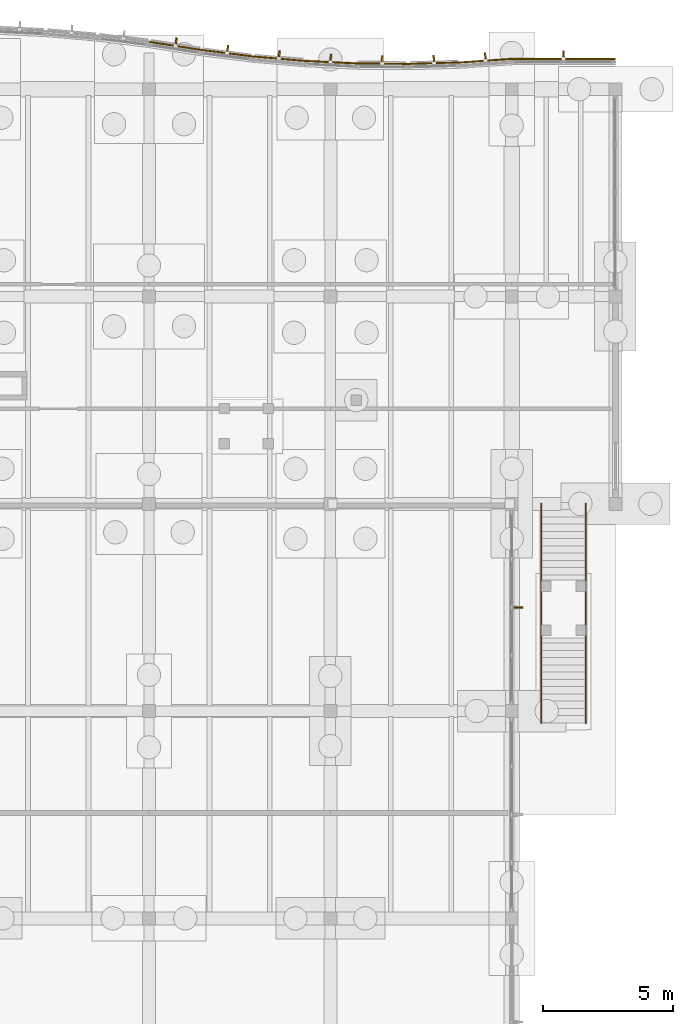
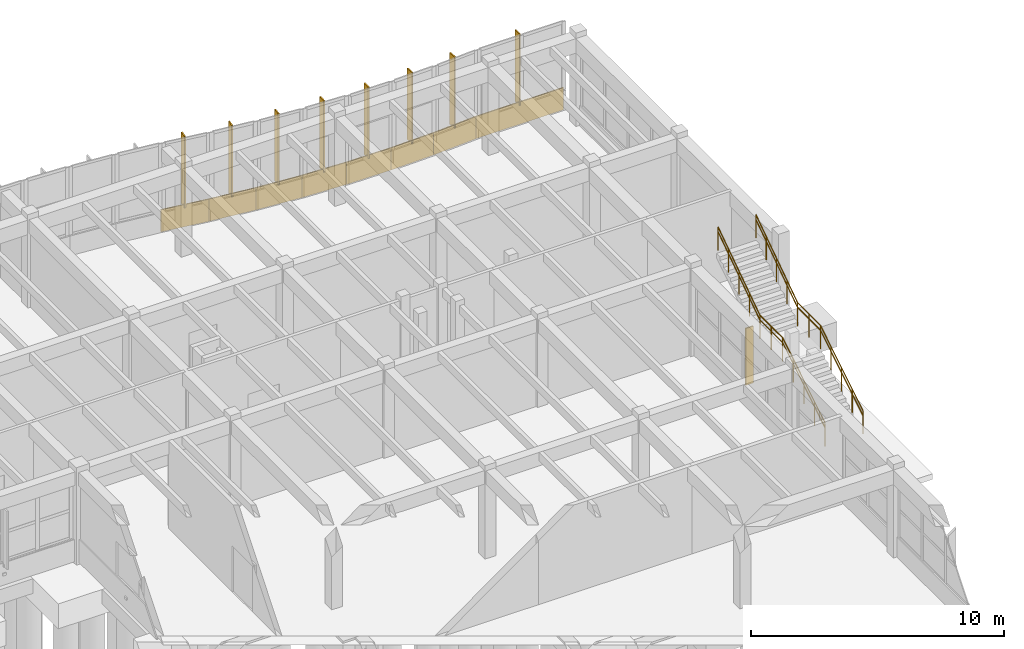
# One storey, part 98 of 99: 9 shading devices, 8 coverings, 4 railings.
"""IFC4 building model written with IfcOpenShell, lengths in metres."""

from ifc_helpers import new_model, si_unit, direction, frame, origin, origin_2d, place, context, subcontext, project, spatial, polyline, rectangle, circle, outline, extrude, material, layer, layer_set, type_object, element, save


model = new_model("IFC4")

# Units and contexts
model_context = context("Model", 3, precision=1e-05, world=origin(), true_north=direction((0.0, 1.0)))
body_context = subcontext(model_context, "Body", "Model", "MODEL_VIEW")
ifc_project = project(units=[si_unit("LENGTHUNIT", "METRE"), si_unit("AREAUNIT", "SQUARE_METRE"), si_unit("VOLUMEUNIT", "CUBIC_METRE"), si_unit("PLANEANGLEUNIT", "RADIAN"), si_unit("MASSUNIT", "GRAM", prefix="KILO")], contexts=[model_context])

# Site, building, storey
site_placement = place(None, origin())
site = spatial("IfcSite", under=ifc_project, at=site_placement, CompositionType="ELEMENT")
building_placement = place(site_placement, origin())
building = spatial("IfcBuilding", under=site, at=building_placement, Name="Tonlespit Floodbar School", CompositionType="ELEMENT")
storey_placement = place(building_placement, origin())
storey = spatial("IfcBuildingStorey", under=building, at=storey_placement, Name="L00", CompositionType="ELEMENT", Elevation=0.0)

# Railings
ifc_material_1 = material(Name="Galvanised Steel", Category="steel")
railing_type_1 = type_object("IfcRailingType", Name="Balustrade_Ext_1150", PredefinedType="BALUSTRADE", material=ifc_material_1)
railing_1_placement = place(storey_placement, frame((178.860107421875, 95.5400390625, 0.173095703125)))
element("IfcRailing", 1, at=railing_1_placement, inside=storey, type_object=railing_type_1, Name="ST-L1 side guard 1", PredefinedType="BALUSTRADE", context=body_context, shape_type="SweptSolid", body=[
    extrude(circle(Radius=0.02392578125, at=origin_2d()), frame((0.0, 0.0, 1.1259765625), z_axis=(0.0, 0.850606129759, 0.525803396734), x_axis=(-1.0, 0.0, 0.0)), (0.0, 0.0, 1.0), 3.949951171875),
    extrude(circle(Radius=0.02392578125, at=origin_2d()), frame((0.0, 3.35986328125, 3.20263671875), z_axis=(0.0, 1.0, 0.0), x_axis=(-1.0, 0.0, 0.0)), (0.0, 0.0, 1.0), 1.800048828125),
    extrude(circle(Radius=0.02392578125, at=origin_2d()), frame((0.0, 5.159912109375, 3.20263671875), z_axis=(0.0, 0.826231222393, 0.56333113454), x_axis=(-1.0, 0.0, 0.0)), (0.0, 0.0, 1.0), 3.994140625),
    extrude(circle(Radius=0.02099609375, at=origin_2d()), origin(), (0.0, 0.0, 1.0), 1.101806640625),
    extrude(circle(Radius=0.02099609375, at=origin_2d()), frame((0.0, 0.83984375, 0.519287109375)), (0.0, 0.0, 1.0), 1.101806640625),
    extrude(circle(Radius=0.02099609375, at=origin_2d()), frame((0.0, 1.679931640625, 1.03857421875)), (0.0, 0.0, 1.0), 1.101806640625),
    extrude(circle(Radius=0.02099609375, at=origin_2d()), frame((0.0, 2.52001953125, 1.5576171875)), (0.0, 0.0, 1.0), 1.101806640625),
    extrude(circle(Radius=0.02099609375, at=origin_2d()), frame((0.0, 3.35986328125, 2.076904296875)), (0.0, 0.0, 1.0), 1.101806640625),
    extrude(circle(Radius=0.02099609375, at=origin_2d()), frame((0.0, 4.259765625, 2.076904296875)), (0.0, 0.0, 1.0), 1.101806640625),
    extrude(circle(Radius=0.02099609375, at=origin_2d()), frame((0.0, 5.159912109375, 2.076904296875)), (0.0, 0.0, 1.0), 1.101806640625),
    extrude(circle(Radius=0.02099609375, at=origin_2d()), frame((0.0, 5.98486328125, 2.639404296875)), (0.0, 0.0, 1.0), 1.101806640625),
    extrude(circle(Radius=0.02099609375, at=origin_2d()), frame((0.0, 6.81005859375, 3.201904296875)), (0.0, 0.0, 1.0), 1.101806640625),
    extrude(circle(Radius=0.02099609375, at=origin_2d()), frame((0.0, 7.635009765625, 3.764404296875)), (0.0, 0.0, 1.0), 1.101806640625),
    extrude(circle(Radius=0.02099609375, at=origin_2d()), frame((0.0, 8.4599609375, 4.326904296875)), (0.0, 0.0, 1.0), 1.101806640625),
])
railing_2_placement = place(storey_placement, frame((177.139892578125, 95.5400390625, 0.173095703125)))
element("IfcRailing", 2, at=railing_2_placement, inside=storey, type_object=railing_type_1, Name="ST-L1 side guard 2", PredefinedType="BALUSTRADE", context=body_context, shape_type="SweptSolid", body=[
    extrude(circle(Radius=0.02392578125, at=origin_2d()), frame((0.0, 0.0, 1.1259765625), z_axis=(0.0, 0.850606129759, 0.525803396734), x_axis=(-1.0, 0.0, 0.0)), (0.0, 0.0, 1.0), 3.949951171875),
    extrude(circle(Radius=0.02392578125, at=origin_2d()), frame((0.0, 3.35986328125, 3.20263671875), z_axis=(0.0, 1.0, 0.0), x_axis=(-1.0, 0.0, 0.0)), (0.0, 0.0, 1.0), 1.800048828125),
    extrude(circle(Radius=0.02392578125, at=origin_2d()), frame((0.0, 5.159912109375, 3.20263671875), z_axis=(0.0, 0.826231222393, 0.56333113454), x_axis=(-1.0, 0.0, 0.0)), (0.0, 0.0, 1.0), 3.994140625),
    extrude(circle(Radius=0.02099609375, at=origin_2d()), origin(), (0.0, 0.0, 1.0), 1.101806640625),
    extrude(circle(Radius=0.02099609375, at=origin_2d()), frame((0.0, 0.83984375, 0.519287109375)), (0.0, 0.0, 1.0), 1.101806640625),
    extrude(circle(Radius=0.02099609375, at=origin_2d()), frame((0.0, 1.679931640625, 1.03857421875)), (0.0, 0.0, 1.0), 1.101806640625),
    extrude(circle(Radius=0.02099609375, at=origin_2d()), frame((0.0, 2.52001953125, 1.5576171875)), (0.0, 0.0, 1.0), 1.101806640625),
    extrude(circle(Radius=0.02099609375, at=origin_2d()), frame((0.0, 3.35986328125, 2.076904296875)), (0.0, 0.0, 1.0), 1.101806640625),
    extrude(circle(Radius=0.02099609375, at=origin_2d()), frame((0.0, 4.259765625, 2.076904296875)), (0.0, 0.0, 1.0), 1.101806640625),
    extrude(circle(Radius=0.02099609375, at=origin_2d()), frame((0.0, 5.159912109375, 2.076904296875)), (0.0, 0.0, 1.0), 1.101806640625),
    extrude(circle(Radius=0.02099609375, at=origin_2d()), frame((0.0, 5.98486328125, 2.639404296875)), (0.0, 0.0, 1.0), 1.101806640625),
    extrude(circle(Radius=0.02099609375, at=origin_2d()), frame((0.0, 6.81005859375, 3.201904296875)), (0.0, 0.0, 1.0), 1.101806640625),
    extrude(circle(Radius=0.02099609375, at=origin_2d()), frame((0.0, 7.635009765625, 3.764404296875)), (0.0, 0.0, 1.0), 1.101806640625),
    extrude(circle(Radius=0.02099609375, at=origin_2d()), frame((0.0, 8.4599609375, 4.326904296875)), (0.0, 0.0, 1.0), 1.101806640625),
])

# Coverings
ifc_material_2 = material(Name="White Architectural Aluminium", Category="aluminium")
ifc_layer_1 = layer(ifc_material_2, 0.050048828125)
ifc_layer_set_1 = layer_set([ifc_layer_1], Name="White Architectural Aluminium")
covering_type = type_object("IfcCoveringType", Name="Cladding_WhiteBand_50", PredefinedType="CLADDING", material=ifc_layer_set_1)
covering_1_placement = place(storey_placement, frame((0.0, 0.0, -0.1201171875)))
element("IfcCovering", 3, at=covering_1_placement, inside=storey, type_object=covering_type, Name="L00 curved white spandrel cladding 0612", PredefinedType="CLADDING", context=body_context, shape_type="SweptSolid", body=[
    extrude(outline(polyline([(162.015380859375, 121.804443359375), (164.015380859375, 121.4931640625), (164.023193359375, 121.54248046875), (162.023193359375, 121.85400390625), (162.015380859375, 121.804443359375)])), origin(), (0.0, 0.0, 1.0), 1.070068359375),
])
covering_2_placement = place(storey_placement, frame((0.0, 0.0, -0.1201171875)))
element("IfcCovering", 4, at=covering_2_placement, inside=storey, type_object=covering_type, Name="L00 curved white spandrel cladding 0613", PredefinedType="CLADDING", context=body_context, shape_type="SweptSolid", body=[
    extrude(outline(polyline([(164.012451171875, 121.493408203125), (166.012451171875, 121.241455078125), (166.018798828125, 121.291015625), (164.018798828125, 121.543212890625), (164.012451171875, 121.493408203125)])), origin(), (0.0, 0.0, 1.0), 1.070068359375),
])
covering_3_placement = place(storey_placement, frame((0.0, 0.0, -0.1201171875)))
element("IfcCovering", 5, at=covering_3_placement, inside=storey, type_object=covering_type, Name="L00 curved white spandrel cladding 0614", PredefinedType="CLADDING", context=body_context, shape_type="SweptSolid", body=[
    extrude(outline(polyline([(166.0087890625, 121.241943359375), (168.0087890625, 121.068115234375), (168.012939453125, 121.117919921875), (166.012939453125, 121.291748046875), (166.0087890625, 121.241943359375)])), origin(), (0.0, 0.0, 1.0), 1.070068359375),
])
covering_4_placement = place(storey_placement, frame((0.0, 0.0, -0.1201171875)))
element("IfcCovering", 6, at=covering_4_placement, inside=storey, type_object=covering_type, Name="L00 curved white spandrel cladding 0615", PredefinedType="CLADDING", context=body_context, shape_type="SweptSolid", body=[
    extrude(outline(polyline([(168.0048828125, 121.068359375), (170.0048828125, 120.97216796875), (170.007080078125, 121.02197265625), (168.007080078125, 121.118408203125), (168.0048828125, 121.068359375)])), origin(), (0.0, 0.0, 1.0), 1.070068359375),
])
covering_5_placement = place(storey_placement, frame((0.0, 0.0, -0.1201171875)))
element("IfcCovering", 7, at=covering_5_placement, inside=storey, type_object=covering_type, Name="L00 curved white spandrel cladding 0616", PredefinedType="CLADDING", context=body_context, shape_type="SweptSolid", body=[
    extrude(outline(polyline([(170.0009765625, 120.97216796875), (172.0009765625, 120.952880859375), (172.00146484375, 121.0029296875), (170.00146484375, 121.022216796875), (170.0009765625, 120.97216796875)])), origin(), (0.0, 0.0, 1.0), 1.070068359375),
])
covering_6_placement = place(storey_placement, frame((0.0, 0.0, -0.1201171875)))
element("IfcCovering", 8, at=covering_6_placement, inside=storey, type_object=covering_type, Name="L00 curved white spandrel cladding 0617", PredefinedType="CLADDING", context=body_context, shape_type="SweptSolid", body=[
    extrude(outline(polyline([(171.9970703125, 120.952880859375), (173.9970703125, 121.0107421875), (173.99560546875, 121.060791015625), (171.99560546875, 121.0029296875), (171.9970703125, 120.952880859375)])), origin(), (0.0, 0.0, 1.0), 1.070068359375),
])
covering_7_placement = place(storey_placement, frame((0.0, 0.0, -0.1201171875)))
element("IfcCovering", 9, at=covering_7_placement, inside=storey, type_object=covering_type, Name="L00 curved white spandrel cladding 0618", PredefinedType="CLADDING", context=body_context, shape_type="SweptSolid", body=[
    extrude(outline(polyline([(173.993408203125, 121.010498046875), (175.993408203125, 121.1455078125), (175.989990234375, 121.1953125), (173.989990234375, 121.060302734375), (173.993408203125, 121.010498046875)])), origin(), (0.0, 0.0, 1.0), 1.070068359375),
])
covering_8_placement = place(storey_placement, frame((0.0, 0.0, -0.1201171875)))
element("IfcCovering", 10, at=covering_8_placement, inside=storey, type_object=covering_type, Name="L00 curved white spandrel cladding 0619", PredefinedType="CLADDING", context=body_context, shape_type="SweptSolid", body=[
    extrude(outline(polyline([(176.0, 121.145751953125), (180.0, 121.145751953125), (180.0, 121.19580078125), (176.0, 121.19580078125), (176.0, 121.145751953125)])), origin(), (0.0, 0.0, 1.0), 1.070068359375),
])

# Railings
railing_type_2 = type_object("IfcRailingType", Name="Handrail_Ext_920", PredefinedType="HANDRAIL", material=ifc_material_1)
railing_3_placement = place(storey_placement, frame((178.860107421875, 95.5400390625, 0.173095703125)))
element("IfcRailing", 11, at=railing_3_placement, inside=storey, type_object=railing_type_2, Name="ST-L1 handrail 1", PredefinedType="HANDRAIL", context=body_context, shape_type="SweptSolid", body=[
    extrude(circle(Radius=0.02392578125, at=origin_2d()), frame((0.0, 0.0, 0.89599609375), z_axis=(0.0, 0.850606129759, 0.525803396734), x_axis=(-1.0, 0.0, 0.0)), (0.0, 0.0, 1.0), 3.949951171875),
    extrude(circle(Radius=0.02392578125, at=origin_2d()), frame((0.0, 3.35986328125, 2.97265625), z_axis=(0.0, 1.0, 0.0), x_axis=(-1.0, 0.0, 0.0)), (0.0, 0.0, 1.0), 1.800048828125),
    extrude(circle(Radius=0.02392578125, at=origin_2d()), frame((0.0, 5.159912109375, 2.97265625), z_axis=(0.0, 0.826231222393, 0.56333113454), x_axis=(-1.0, 0.0, 0.0)), (0.0, 0.0, 1.0), 3.994140625),
    extrude(circle(Radius=0.02099609375, at=origin_2d()), origin(), (0.0, 0.0, 1.0), 0.871826171875),
    extrude(circle(Radius=0.02099609375, at=origin_2d()), frame((0.0, 0.83984375, 0.519287109375)), (0.0, 0.0, 1.0), 0.871826171875),
    extrude(circle(Radius=0.02099609375, at=origin_2d()), frame((0.0, 1.679931640625, 1.03857421875)), (0.0, 0.0, 1.0), 0.871826171875),
    extrude(circle(Radius=0.02099609375, at=origin_2d()), frame((0.0, 2.52001953125, 1.5576171875)), (0.0, 0.0, 1.0), 0.871826171875),
    extrude(circle(Radius=0.02099609375, at=origin_2d()), frame((0.0, 3.35986328125, 2.076904296875)), (0.0, 0.0, 1.0), 0.871826171875),
    extrude(circle(Radius=0.02099609375, at=origin_2d()), frame((0.0, 4.259765625, 2.076904296875)), (0.0, 0.0, 1.0), 0.871826171875),
    extrude(circle(Radius=0.02099609375, at=origin_2d()), frame((0.0, 5.159912109375, 2.076904296875)), (0.0, 0.0, 1.0), 0.871826171875),
    extrude(circle(Radius=0.02099609375, at=origin_2d()), frame((0.0, 5.98486328125, 2.639404296875)), (0.0, 0.0, 1.0), 0.871826171875),
    extrude(circle(Radius=0.02099609375, at=origin_2d()), frame((0.0, 6.81005859375, 3.201904296875)), (0.0, 0.0, 1.0), 0.871826171875),
    extrude(circle(Radius=0.02099609375, at=origin_2d()), frame((0.0, 7.635009765625, 3.764404296875)), (0.0, 0.0, 1.0), 0.871826171875),
    extrude(circle(Radius=0.02099609375, at=origin_2d()), frame((0.0, 8.4599609375, 4.326904296875)), (0.0, 0.0, 1.0), 0.871826171875),
])
railing_4_placement = place(storey_placement, frame((177.139892578125, 95.5400390625, 0.173095703125)))
element("IfcRailing", 12, at=railing_4_placement, inside=storey, type_object=railing_type_2, Name="ST-L1 handrail 2", PredefinedType="HANDRAIL", context=body_context, shape_type="SweptSolid", body=[
    extrude(circle(Radius=0.02392578125, at=origin_2d()), frame((0.0, 0.0, 0.89599609375), z_axis=(0.0, 0.850606129759, 0.525803396734), x_axis=(-1.0, 0.0, 0.0)), (0.0, 0.0, 1.0), 3.949951171875),
    extrude(circle(Radius=0.02392578125, at=origin_2d()), frame((0.0, 3.35986328125, 2.97265625), z_axis=(0.0, 1.0, 0.0), x_axis=(-1.0, 0.0, 0.0)), (0.0, 0.0, 1.0), 1.800048828125),
    extrude(circle(Radius=0.02392578125, at=origin_2d()), frame((0.0, 5.159912109375, 2.97265625), z_axis=(0.0, 0.826231222393, 0.56333113454), x_axis=(-1.0, 0.0, 0.0)), (0.0, 0.0, 1.0), 3.994140625),
    extrude(circle(Radius=0.02099609375, at=origin_2d()), origin(), (0.0, 0.0, 1.0), 0.871826171875),
    extrude(circle(Radius=0.02099609375, at=origin_2d()), frame((0.0, 0.83984375, 0.519287109375)), (0.0, 0.0, 1.0), 0.871826171875),
    extrude(circle(Radius=0.02099609375, at=origin_2d()), frame((0.0, 1.679931640625, 1.03857421875)), (0.0, 0.0, 1.0), 0.871826171875),
    extrude(circle(Radius=0.02099609375, at=origin_2d()), frame((0.0, 2.52001953125, 1.5576171875)), (0.0, 0.0, 1.0), 0.871826171875),
    extrude(circle(Radius=0.02099609375, at=origin_2d()), frame((0.0, 3.35986328125, 2.076904296875)), (0.0, 0.0, 1.0), 0.871826171875),
    extrude(circle(Radius=0.02099609375, at=origin_2d()), frame((0.0, 4.259765625, 2.076904296875)), (0.0, 0.0, 1.0), 0.871826171875),
    extrude(circle(Radius=0.02099609375, at=origin_2d()), frame((0.0, 5.159912109375, 2.076904296875)), (0.0, 0.0, 1.0), 0.871826171875),
    extrude(circle(Radius=0.02099609375, at=origin_2d()), frame((0.0, 5.98486328125, 2.639404296875)), (0.0, 0.0, 1.0), 0.871826171875),
    extrude(circle(Radius=0.02099609375, at=origin_2d()), frame((0.0, 6.81005859375, 3.201904296875)), (0.0, 0.0, 1.0), 0.871826171875),
    extrude(circle(Radius=0.02099609375, at=origin_2d()), frame((0.0, 7.635009765625, 3.764404296875)), (0.0, 0.0, 1.0), 0.871826171875),
    extrude(circle(Radius=0.02099609375, at=origin_2d()), frame((0.0, 8.4599609375, 4.326904296875)), (0.0, 0.0, 1.0), 0.871826171875),
])

# Shading devices
ifc_material_3 = material(Name="Terracotta Anodised Aluminium", Category="masonry")
ifc_layer_2 = layer(ifc_material_3, 0.06005859375)
ifc_layer_set_2 = layer_set([ifc_layer_2], Name="Terracotta Anodised Aluminium")
shading_device_type = type_object("IfcShadingDeviceType", Name="Shading_SolarFin_350", PredefinedType="USERDEFINED", material=ifc_layer_set_2)
for number, where, z_axis, x_axis, name in (
    (13, (163.0400390625, 121.806884765625, 0.800048828125), (0.0, 0.0, 1.0), (0.988094768361, -0.153846445322, 0.0), "L00 vertical solar fin 215"),
    (14, (165.032470703125, 121.5263671875, 0.800048828125), (0.0, 0.0, 1.0), (0.99215533612, -0.125011155539, 0.0), "L00 vertical solar fin 216"),
    (15, (167.0224609375, 121.314453125, 0.800048828125), (0.0, 0.0, 1.0), (0.996245486492, -0.086573267488, 0.0), "L00 vertical solar fin 217"),
    (16, (169.012451171875, 121.179931640625, 0.800048828125), (0.0, 0.0, 1.0), (0.998842769234, -0.048094930587, 0.0), "L00 vertical solar fin 218"),
    (17, (171.00244140625, 121.12255859375, 0.800048828125), (0.0, 0.0, 1.0), (0.999953926969, -0.009599163462, 0.0), "L00 vertical solar fin 219"),
    (18, (172.992431640625, 121.1416015625, 0.800048828125), (0.0, 0.0, 1.0), (0.999584110869, 0.02883756748, 0.0), "L00 vertical solar fin 220"),
    (19, (174.982421875, 121.237548828125, 0.800048828125), (0.0, 0.0, 1.0), (0.997729639049, 0.067346621018, 0.0), "L00 vertical solar fin 221"),
    (20, (178.0, 121.3056640625, 0.800048828125), (0.0, 0.0, 1.0), (1.0, 0.0, 0.0), "L00 vertical solar fin 222"),
):
    element("IfcShadingDevice", number, at=place(storey_placement, frame(where, z_axis=z_axis, x_axis=x_axis)), inside=storey, type_object=shading_device_type, Name=name, ObjectType="SOLAR FIN", PredefinedType="USERDEFINED", context=body_context, shape_type="SweptSolid", body=[
        extrude(rectangle(XDim=0.06005859375, YDim=0.35009765625, at=origin_2d()), origin(), (0.0, 0.0, 1.0), 3.43994140625),
    ])
shading_device_placement = place(storey_placement, frame((176.25244140625, 100.0, 0.7998046875), z_axis=(0.0, 0.0, 1.0), x_axis=(0.0, -1.0, 0.0)))
element("IfcShadingDevice", 21, at=shading_device_placement, inside=storey, type_object=shading_device_type, Name="L00 vertical solar fin 226", ObjectType="SOLAR FIN", PredefinedType="USERDEFINED", context=body_context, shape_type="SweptSolid", body=[
    extrude(rectangle(XDim=0.06005859375, YDim=0.35009765625, at=origin_2d()), origin(), (0.0, 0.0, 1.0), 2.739990234375),
])

save(model, "model.ifc")
